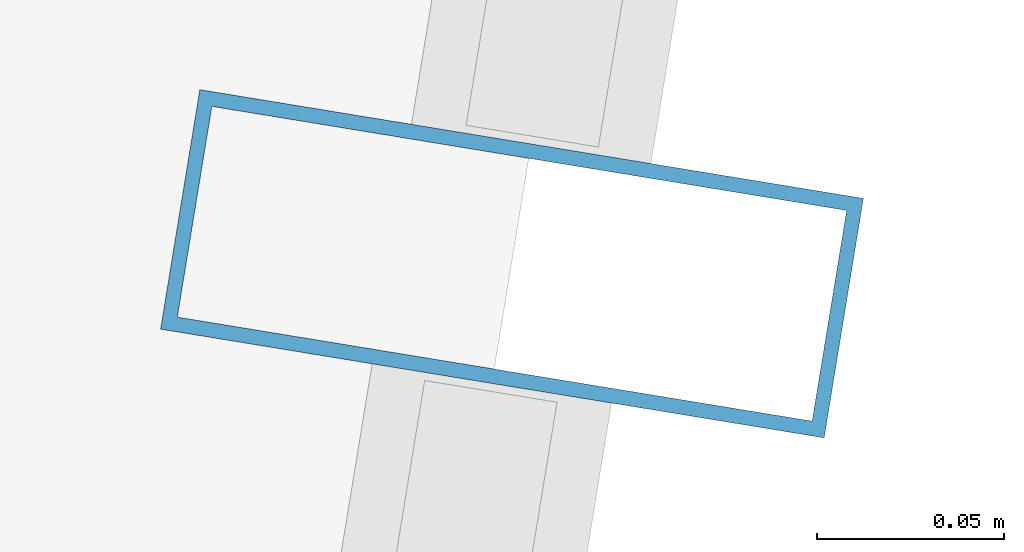
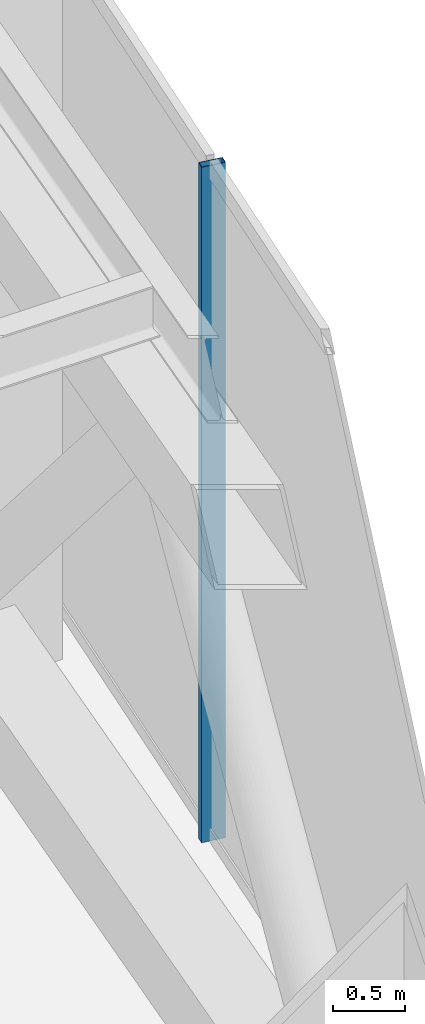
# One storey, part 17 of 35: 1 member, 1 element without a shape of its own.
"""IFC4 building model written with IfcOpenShell, lengths in metres."""

from ifc_helpers import new_model, si_unit, direction, frame, origin, origin_2d, place, context, subcontext, project, spatial, hollow_rectangle, extrude, material, material_profile, profile_set, type_object, element, aggregate, save


model = new_model("IFC4")

# Units and contexts
model_context = context("Model", 3, precision=1e-05, world=origin(), true_north=direction((0.0, 1.0)))
body_context = subcontext(model_context, "Body", "Model", "MODEL_VIEW")
ifc_project = project(units=[si_unit("LENGTHUNIT", "METRE"), si_unit("AREAUNIT", "SQUARE_METRE"), si_unit("VOLUMEUNIT", "CUBIC_METRE"), si_unit("PLANEANGLEUNIT", "RADIAN"), si_unit("MASSUNIT", "GRAM", prefix="KILO")], contexts=[model_context])

# Site, building, storey
site_placement = place(None, origin())
site = spatial("IfcSite", under=ifc_project, at=site_placement, CompositionType="ELEMENT")
building_placement = place(site_placement, origin())
building = spatial("IfcBuilding", under=site, at=building_placement, Name="Saevonmaru Cultural Tower", CompositionType="ELEMENT")
storey_placement = place(building_placement, frame((0.0, 0.0, 86.800048828125)))
storey = spatial("IfcBuildingStorey", under=building, at=storey_placement, Name="L18", CompositionType="ELEMENT", Elevation=86.800048828125)

# Curtain wall, member
ifc_material = material(Name="Satin Bronze Anodised Aluminium", Category="aluminium")
curtain_wall_type = type_object("IfcCurtainWallType", Name="CW-TYP-A", PredefinedType="NOTDEFINED", material=ifc_material)
curtain_wall_placement = place(storey_placement, origin())
curtain_wall = element("IfcCurtainWall", 1, at=curtain_wall_placement, inside=storey, type_object=curtain_wall_type, Name="L18 Wind-Floor Acoustic Louvre Screen E8", PredefinedType="NOTDEFINED")
ifc_material_profile = material_profile(ifc_material, hollow_rectangle(XDim=0.06494140625, YDim=0.179931640625, WallThickness=0.00390625, at=origin_2d()), Name="ALU-MULL-180x65x4")
ifc_profile_set = profile_set([ifc_material_profile], Name="Satin Bronze Anodised Aluminium")
member_type = type_object("IfcMemberType", Name="ML-CW-180x65", PredefinedType="MULLION", material=ifc_profile_set)
member_placement = place(storey_placement, frame((52.10009765625, 29.0, 0.0), z_axis=(0.0, 0.0, 1.0), x_axis=(0.161708868641, 0.986838508472, 0.0)))
member = element("IfcMember", 2, at=member_placement, type_object=member_type, Name="CW-TW-L18-E8 mullion 3", PredefinedType="MULLION", context=body_context, shape_type="SweptSolid", body=[
    extrude(hollow_rectangle(XDim=0.06494140625, YDim=0.179931640625, WallThickness=0.00390625, at=origin_2d()), origin(), (0.0, 0.0, 1.0), 5.75),
])
aggregate(curtain_wall, [member])

save(model, "model.ifc")
